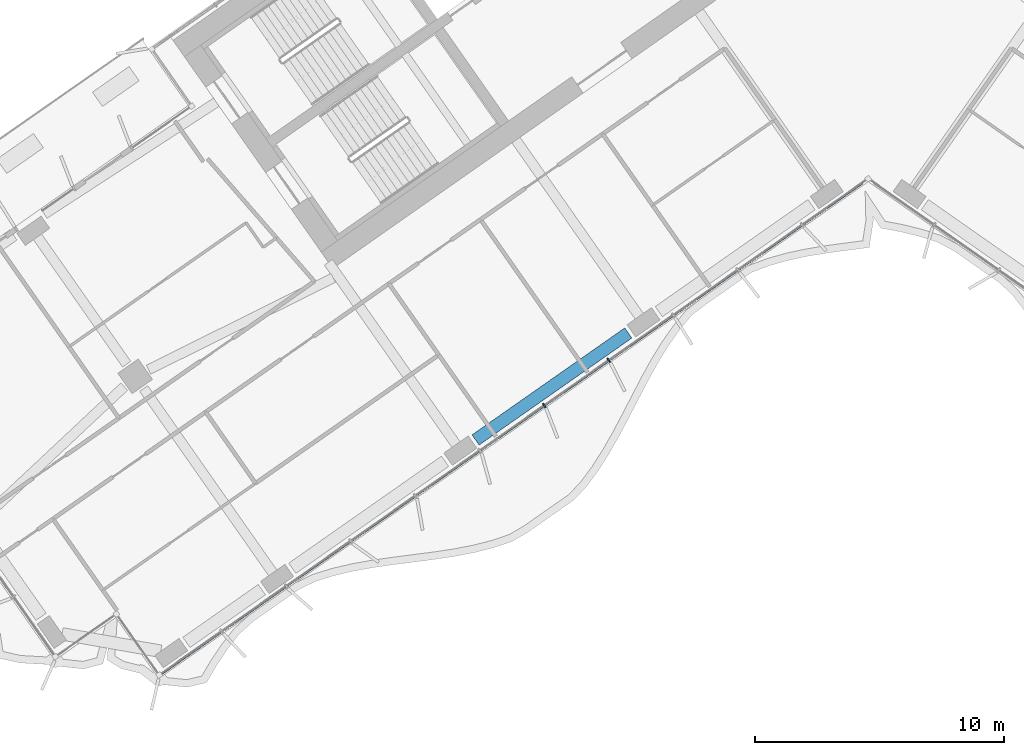
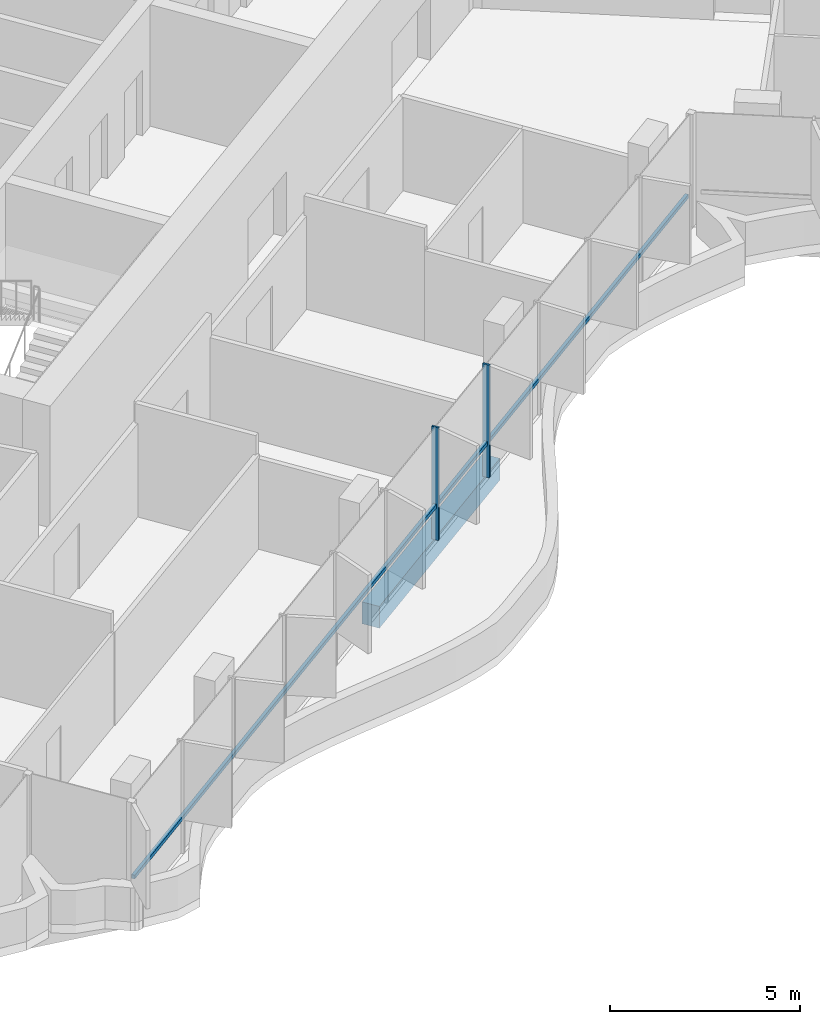
# One storey, part 3 of 24: 3 members, 1 beam, 1 element without a shape of its own.
"""IFC4 building model written with IfcOpenShell, lengths in metres."""

import ifcopenshell
import ifcopenshell.guid

model = None  # the IFC model being written
_history = None  # IfcOwnerHistory: only IFC2X3 demands one
_inside = {}  # id of a spatial element -> (the spatial element, [elements in it])
_under = {}  # id of a project, library or spatial element -> (it, [spatial elements below it])
_declared = {}  # id of a project -> (the project, [libraries it declares])
_typed = {}  # id of a type object -> (the type object, [elements of that type])
_made_of = {}  # id of a material, layer set ... -> (it, [elements and type objects made of it])


def new_model(schema):
    """Start an empty IFC model of exactly this schema.

    Asked for "IFC4X3", IfcOpenShell would pick the latest addendum, in which some entities
    have other attributes; the version numbers below select the first issue.
    IFC2X3 requires an IfcOwnerHistory on every rooted entity: one is made here for all.
    """
    global model, _history
    if schema == "IFC4X3":
        model = ifcopenshell.file(schema_version=(4, 3, 0, 0))
    else:
        model = ifcopenshell.file(schema=schema)
    _inside.clear()
    _under.clear()
    _declared.clear()
    _typed.clear()
    _made_of.clear()
    _history = None
    if model.schema == "IFC2X3":
        org = make("IfcOrganization", Name="unknown")
        user = make(
            "IfcPersonAndOrganization",
            ThePerson=make("IfcPerson", FamilyName="unknown"),
            TheOrganization=org,
        )
        app = make(
            "IfcApplication",
            ApplicationDeveloper=org,
            Version="unknown",
            ApplicationFullName="unknown",
            ApplicationIdentifier="unknown",
        )
        _history = make(
            "IfcOwnerHistory",
            OwningUser=user,
            OwningApplication=app,
            ChangeAction="ADDED",
            CreationDate=0,
        )
    return model


def make(cls, **values):
    """One entity of the class cls with the attributes given. An attribute that is None is left unset."""
    return model.create_entity(
        cls, **{name: value for name, value in values.items() if value is not None}
    )


def rooted(cls, **values):
    """An entity with a GlobalId (a new one), such as an element, a storey or a relation."""
    return make(cls, GlobalId=ifcopenshell.guid.new(), OwnerHistory=_history, **values)


def si_unit(unit_type, name, prefix=None):
    """IfcSIUnit, for example si_unit("LENGTHUNIT", "METRE", prefix="MILLI")."""
    return make("IfcSIUnit", UnitType=unit_type, Prefix=prefix, Name=name)


def assignment(units):
    """IfcUnitAssignment: the units of a project."""
    return None if units is None else make("IfcUnitAssignment", Units=units)


def point(xyz):
    """IfcCartesianPoint."""
    return None if xyz is None else make("IfcCartesianPoint", Coordinates=xyz)


def direction(xyz):
    """IfcDirection."""
    return None if xyz is None else make("IfcDirection", DirectionRatios=xyz)


def frame(location, z_axis=None, x_axis=None):
    """IfcAxis2Placement3D, a coordinate frame: its origin and axes. An axis left out is left unset."""
    return make(
        "IfcAxis2Placement3D",
        Location=point(location),
        Axis=direction(z_axis),
        RefDirection=direction(x_axis),
    )


def frame_2d(location, x_axis=None):
    """IfcAxis2Placement2D, a coordinate frame in the plane: its origin and x axis."""
    return make(
        "IfcAxis2Placement2D", Location=point(location), RefDirection=direction(x_axis)
    )


def origin():
    """The frame at (0, 0, 0) with its axes left unset."""
    return frame((0.0, 0.0, 0.0))


def origin_2d():
    """The frame at (0, 0) in the plane with its x axis left unset."""
    return frame_2d((0.0, 0.0))


def place(relative_to, where):
    """IfcLocalPlacement: puts the frame where relative to a parent placement (None: the world)."""
    return make(
        "IfcLocalPlacement", PlacementRelTo=relative_to, RelativePlacement=where
    )


def context(
    kind, dimensions, precision=None, world=None, true_north=None, identifier=None
):
    """IfcGeometricRepresentationContext, for example the 3D "Model" context."""
    return make(
        "IfcGeometricRepresentationContext",
        ContextIdentifier=identifier,
        ContextType=kind,
        CoordinateSpaceDimension=dimensions,
        Precision=precision,
        WorldCoordinateSystem=world,
        TrueNorth=true_north,
    )


def subcontext(parent, identifier, kind, view, scale=None):
    """IfcGeometricRepresentationSubContext, for example "Body" below "Model"."""
    return make(
        "IfcGeometricRepresentationSubContext",
        ContextIdentifier=identifier,
        ContextType=kind,
        ParentContext=parent,
        TargetScale=scale,
        TargetView=view,
    )


def project(units=None, contexts=None):
    """IfcProject with its units and contexts."""
    return rooted(
        "IfcProject",
        Name="project",
        RepresentationContexts=contexts,
        UnitsInContext=assignment(units),
    )


def spatial(cls, under=None, at=None, **own):
    """A site, building, storey or space (cls), placed at a placement, below another one or the project."""
    s = rooted(cls, ObjectPlacement=at, **own)
    if under is not None:
        _under.setdefault(under.id(), (under, []))[1].append(s)
    return s


def profile(cls, at=None, kind="AREA", **sizes):
    """A parametric profile (cls). Its sizes go by their IFC names, for example OverallWidth=200.0."""
    return make(cls, ProfileType=kind, Position=at, **sizes)


def rectangle(**sizes):
    """IfcRectangleProfileDef."""
    return profile("IfcRectangleProfileDef", **sizes)


def extrude(swept, where, along, depth):
    """IfcExtrudedAreaSolid: the profile swept, set in the frame where, extruded along a direction by depth."""
    return make(
        "IfcExtrudedAreaSolid",
        SweptArea=swept,
        Position=where,
        ExtrudedDirection=direction(along),
        Depth=depth,
    )


def shape(context_of_items, identifier, shape_type, items):
    """IfcShapeRepresentation: the items that make up one representation, for example the "Body"."""
    return make(
        "IfcShapeRepresentation",
        ContextOfItems=context_of_items,
        RepresentationIdentifier=identifier,
        RepresentationType=shape_type,
        Items=items,
    )


def material(Name=None, Category=None):
    """IfcMaterial."""
    return make("IfcMaterial", Name=Name, Category=Category)


def material_profile(
    of_material, cross_section, Name=None, Category=None, Priority=None
):
    """IfcMaterialProfile: a cross section and its material."""
    return make(
        "IfcMaterialProfile",
        Name=Name,
        Material=of_material,
        Profile=cross_section,
        Priority=Priority,
        Category=Category,
    )


def profile_set(profiles, Name=None, composite=None):
    """IfcMaterialProfileSet."""
    return make(
        "IfcMaterialProfileSet",
        Name=Name,
        MaterialProfiles=profiles,
        CompositeProfile=composite,
    )


def made_of(thing, what):
    """Note that an element or type object is made of a material, layer set ...; save() writes the relation."""
    if what is not None:
        _made_of.setdefault(what.id(), (what, []))[1].append(thing)
    return thing


def type_object(cls, material=None, **own):
    """A type object (cls), such as IfcWallType, which elements share."""
    return made_of(rooted(cls, **own), material)


def element(
    cls,
    number,
    at=None,
    inside=None,
    cuts=None,
    type_object=None,
    material=None,
    context=None,
    identifier="Body",
    shape_type=None,
    held_by="IfcProductDefinitionShape",
    body=None,
    shapes=None,
    **own,
):
    """One element of the class cls, such as IfcWall. Its Tag is "e" and its number.

    at: its placement. inside: the storey or other place that contains it. cuts: it is an
    opening in that element (IfcRelVoidsElement). A single representation is given by context,
    identifier, shape_type and body (its items); several are given by shapes. held_by: the class
    of the entity that holds the representations. save() writes the other relations.
    """
    e = rooted(cls, Tag="e%d" % number, ObjectPlacement=at, **own)
    if body is not None:
        shapes = [shape(context, identifier, shape_type, body)]
    if shapes is not None:
        e.Representation = make(held_by, Representations=shapes)
    if inside is not None:
        _inside.setdefault(inside.id(), (inside, []))[1].append(e)
    if cuts is not None:
        rooted(
            "IfcRelVoidsElement", RelatingBuildingElement=cuts, RelatedOpeningElement=e
        )
    if type_object is not None:
        _typed.setdefault(type_object.id(), (type_object, []))[1].append(e)
    return made_of(e, material)


def aggregate(whole, parts):
    """IfcRelAggregates: a whole, such as a stair, and the parts it consists of."""
    return rooted("IfcRelAggregates", RelatingObject=whole, RelatedObjects=parts)


def save(model, path):
    """Write the relations noted so far, then the file.

    IfcRelAggregates (storeys below a building ...), IfcRelContainedInSpatialStructure (elements
    in a storey), IfcRelDefinesByType, IfcRelAssociatesMaterial and IfcRelDeclares: one each for
    every whole, place, type object, material and project.
    """
    for whole, parts in _under.values():
        aggregate(whole, parts)
    for where, things in _inside.values():
        rooted(
            "IfcRelContainedInSpatialStructure",
            RelatedElements=things,
            RelatingStructure=where,
        )
    for kind, things in _typed.values():
        rooted("IfcRelDefinesByType", RelatedObjects=things, RelatingType=kind)
    for what, things in _made_of.values():
        rooted("IfcRelAssociatesMaterial", RelatedObjects=things, RelatingMaterial=what)
    for by, libraries in _declared.values():
        rooted("IfcRelDeclares", RelatingContext=by, RelatedDefinitions=libraries)
    model.write(path)


model = new_model("IFC4")

# Units and contexts
model_context = context("Model", 3, precision=1e-05, world=origin(), true_north=direction((0.0, 1.0)))
body_context = subcontext(model_context, "Body", "Model", "MODEL_VIEW")
ifc_project = project(units=[si_unit("LENGTHUNIT", "METRE"), si_unit("AREAUNIT", "SQUARE_METRE"), si_unit("VOLUMEUNIT", "CUBIC_METRE"), si_unit("PLANEANGLEUNIT", "RADIAN"), si_unit("MASSUNIT", "GRAM", prefix="KILO")], contexts=[model_context])

# Site, building, storey
site_placement = place(None, origin())
site = spatial("IfcSite", under=ifc_project, at=site_placement, CompositionType="ELEMENT")
building_placement = place(site_placement, origin())
building = spatial("IfcBuilding", under=site, at=building_placement, Name="Tel Ilan Convention Tower", CompositionType="ELEMENT")
storey_placement = place(building_placement, frame((0.0, 0.0, 132.0)))
storey = spatial("IfcBuildingStorey", under=building, at=storey_placement, Name="L29", CompositionType="ELEMENT", Elevation=132.0)

# Beam
ifc_material_1 = material(Name="Concrete C40/50", Category="concrete")
ifc_material_profile_1 = material_profile(ifc_material_1, rectangle(XDim=0.5, YDim=0.699951171875, at=origin_2d()), Name="RC 500x700")
ifc_profile_set_1 = profile_set([ifc_material_profile_1], Name="Concrete C40/50")
beam_type = type_object("IfcBeamType", Name="Beam RC 500x700 Concrete C40/50", PredefinedType="BEAM", material=ifc_profile_set_1)
beam_placement = place(storey_placement, frame((-9.652099609375, -18.905029296875, -0.6298828125), z_axis=(-0.81915238829, -0.573575945067, 0.0), x_axis=(0.573575945067, -0.81915238829, 0.0)))
element("IfcBeam", 1, at=beam_placement, inside=storey, type_object=beam_type, Name="L29 beam W-W-F2-W-F3", PredefinedType="BEAM", context=body_context, shape_type="SweptSolid", body=[
    extrude(rectangle(XDim=0.5, YDim=0.699951171875, at=origin_2d()), origin(), (0.0, 0.0, 1.0), 7.5),
])

# Curtain wall, members
ifc_material_2 = material(Name="Aluminium, bronze anodised", Category="aluminium")
curtain_wall_type = type_object("IfcCurtainWallType", Name="CW4 STICK CURTAIN WALL, OFFICE TINTED GLASS", PredefinedType="NOTDEFINED", material=ifc_material_2)
curtain_wall_placement = place(storey_placement, origin())
curtain_wall = element("IfcCurtainWall", 2, at=curtain_wall_placement, inside=storey, type_object=curtain_wall_type, Name="Curtain wall CW4-23.10", PredefinedType="NOTDEFINED")
ifc_material_3 = material(Name="Aluminium, bronze anodised", Category="aluminium")
ifc_material_profile_2 = material_profile(ifc_material_3, rectangle(XDim=0.06005859375, YDim=0.199951171875, at=origin_2d()), Name="CW MULLION 60x200")
ifc_profile_set_2 = profile_set([ifc_material_profile_2], Name="Aluminium, bronze anodised")
member_type_1 = type_object("IfcMemberType", Name="CW MULLION 60x200", PredefinedType="MULLION", material=ifc_profile_set_2)
member_1_placement = place(storey_placement, frame((-13.03271484375, -21.821533203125, 0.0), z_axis=(0.0, 0.0, 1.0), x_axis=(0.819152044289, 0.573576436351, 0.0)))
member_1 = element("IfcMember", 3, at=member_1_placement, type_object=member_type_1, Name="Mullion", PredefinedType="MULLION", context=body_context, shape_type="SweptSolid", body=[
    extrude(rectangle(XDim=0.06005859375, YDim=0.199951171875, at=origin_2d()), origin(), (0.0, 0.0, 1.0), 3.6201171875),
])
member_2_placement = place(storey_placement, frame((-10.4375, -20.004638671875, 0.0), z_axis=(0.0, 0.0, 1.0), x_axis=(0.819152044289, 0.573576436351, 0.0)))
member_2 = element("IfcMember", 4, at=member_2_placement, type_object=member_type_1, Name="Mullion", PredefinedType="MULLION", context=body_context, shape_type="SweptSolid", body=[
    extrude(rectangle(XDim=0.06005859375, YDim=0.199951171875, at=origin_2d()), origin(), (0.0, 0.0, 1.0), 3.6201171875),
])
ifc_material_4 = material(Name="Aluminium, bronze anodised", Category="aluminium")
ifc_material_profile_3 = material_profile(ifc_material_4, rectangle(XDim=0.10009765625, YDim=0.1201171875, at=origin_2d()), Name="CW TRANSOM 100x120")
ifc_profile_set_3 = profile_set([ifc_material_profile_3], Name="Aluminium, bronze anodised")
member_type_2 = type_object("IfcMemberType", Name="CW TRANSOM 100x120", PredefinedType="USERDEFINED", material=ifc_profile_set_3)
member_3_placement = place(storey_placement, frame((-28.439208984375, -32.609375, 1.10009765625), z_axis=(0.819151003602, 0.573577922604, 0.0), x_axis=(-0.573577922604, 0.819151003602, 0.0)))
member_3 = element("IfcMember", 5, at=member_3_placement, type_object=member_type_2, Name="Transom", ObjectType="TRANSOM", PredefinedType="USERDEFINED", context=body_context, shape_type="SweptSolid", body=[
    extrude(rectangle(XDim=0.10009765625, YDim=0.1201171875, at=origin_2d()), origin(), (0.0, 0.0, 1.0), 34.447998046875),
])
aggregate(curtain_wall, [member_1, member_2, member_3])

save(model, "model.ifc")
